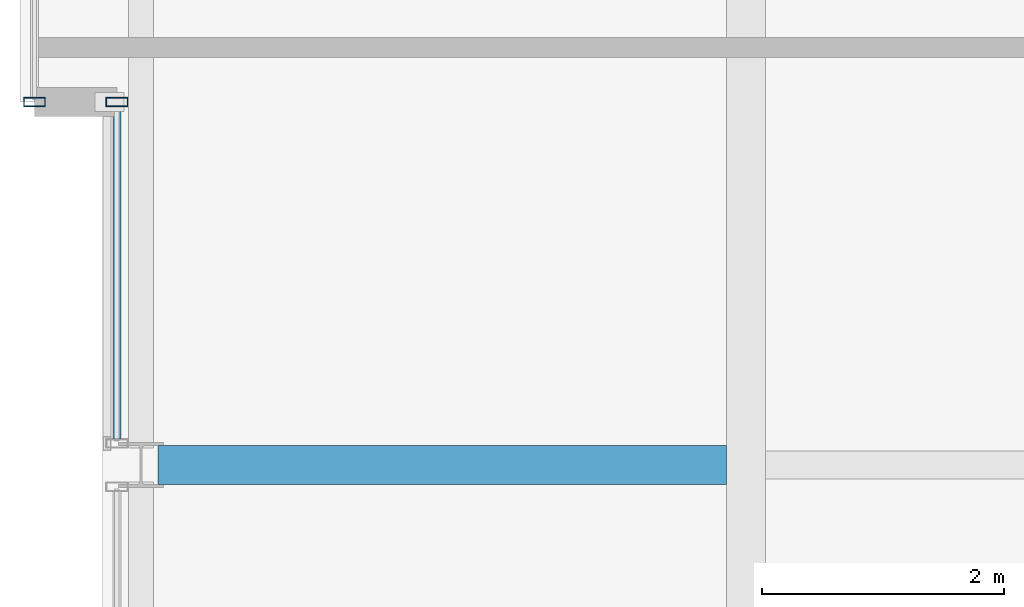
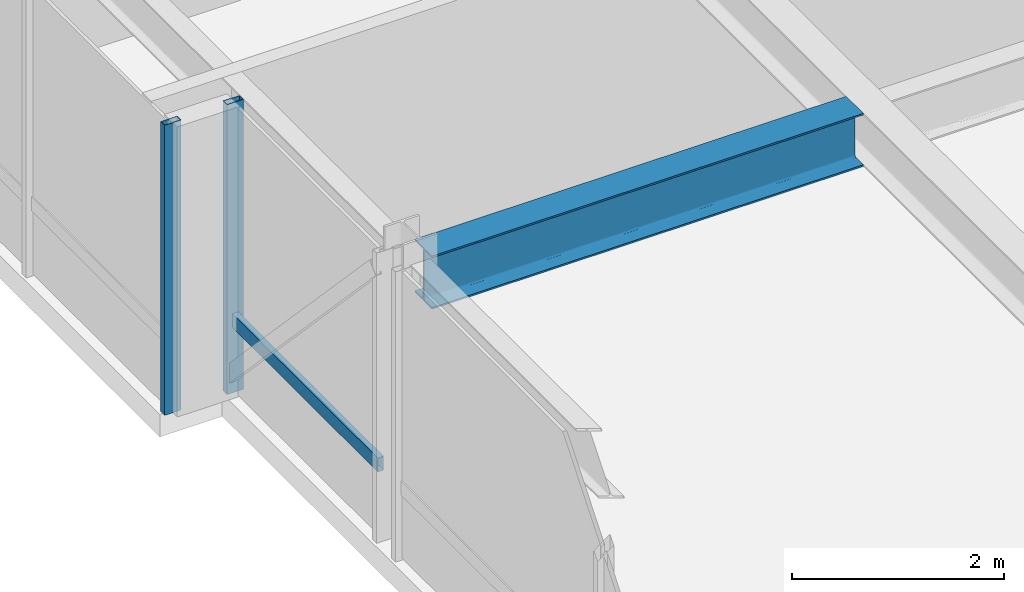
# One storey, part 11 of 32: 3 members, 1 beam, 2 elements without a shape of their own.
"""IFC4 building model written with IfcOpenShell, lengths in metres."""

import ifcopenshell
import ifcopenshell.guid

model = None  # the IFC model being written
_history = None  # IfcOwnerHistory: only IFC2X3 demands one
_inside = {}  # id of a spatial element -> (the spatial element, [elements in it])
_under = {}  # id of a project, library or spatial element -> (it, [spatial elements below it])
_declared = {}  # id of a project -> (the project, [libraries it declares])
_typed = {}  # id of a type object -> (the type object, [elements of that type])
_made_of = {}  # id of a material, layer set ... -> (it, [elements and type objects made of it])


def new_model(schema):
    """Start an empty IFC model of exactly this schema.

    Asked for "IFC4X3", IfcOpenShell would pick the latest addendum, in which some entities
    have other attributes; the version numbers below select the first issue.
    IFC2X3 requires an IfcOwnerHistory on every rooted entity: one is made here for all.
    """
    global model, _history
    if schema == "IFC4X3":
        model = ifcopenshell.file(schema_version=(4, 3, 0, 0))
    else:
        model = ifcopenshell.file(schema=schema)
    _inside.clear()
    _under.clear()
    _declared.clear()
    _typed.clear()
    _made_of.clear()
    _history = None
    if model.schema == "IFC2X3":
        org = make("IfcOrganization", Name="unknown")
        user = make(
            "IfcPersonAndOrganization",
            ThePerson=make("IfcPerson", FamilyName="unknown"),
            TheOrganization=org,
        )
        app = make(
            "IfcApplication",
            ApplicationDeveloper=org,
            Version="unknown",
            ApplicationFullName="unknown",
            ApplicationIdentifier="unknown",
        )
        _history = make(
            "IfcOwnerHistory",
            OwningUser=user,
            OwningApplication=app,
            ChangeAction="ADDED",
            CreationDate=0,
        )
    return model


def make(cls, **values):
    """One entity of the class cls with the attributes given. An attribute that is None is left unset."""
    return model.create_entity(
        cls, **{name: value for name, value in values.items() if value is not None}
    )


def rooted(cls, **values):
    """An entity with a GlobalId (a new one), such as an element, a storey or a relation."""
    return make(cls, GlobalId=ifcopenshell.guid.new(), OwnerHistory=_history, **values)


def si_unit(unit_type, name, prefix=None):
    """IfcSIUnit, for example si_unit("LENGTHUNIT", "METRE", prefix="MILLI")."""
    return make("IfcSIUnit", UnitType=unit_type, Prefix=prefix, Name=name)


def assignment(units):
    """IfcUnitAssignment: the units of a project."""
    return None if units is None else make("IfcUnitAssignment", Units=units)


def point(xyz):
    """IfcCartesianPoint."""
    return None if xyz is None else make("IfcCartesianPoint", Coordinates=xyz)


def direction(xyz):
    """IfcDirection."""
    return None if xyz is None else make("IfcDirection", DirectionRatios=xyz)


def frame(location, z_axis=None, x_axis=None):
    """IfcAxis2Placement3D, a coordinate frame: its origin and axes. An axis left out is left unset."""
    return make(
        "IfcAxis2Placement3D",
        Location=point(location),
        Axis=direction(z_axis),
        RefDirection=direction(x_axis),
    )


def frame_2d(location, x_axis=None):
    """IfcAxis2Placement2D, a coordinate frame in the plane: its origin and x axis."""
    return make(
        "IfcAxis2Placement2D", Location=point(location), RefDirection=direction(x_axis)
    )


def origin():
    """The frame at (0, 0, 0) with its axes left unset."""
    return frame((0.0, 0.0, 0.0))


def origin_2d():
    """The frame at (0, 0) in the plane with its x axis left unset."""
    return frame_2d((0.0, 0.0))


def place(relative_to, where):
    """IfcLocalPlacement: puts the frame where relative to a parent placement (None: the world)."""
    return make(
        "IfcLocalPlacement", PlacementRelTo=relative_to, RelativePlacement=where
    )


def context(
    kind, dimensions, precision=None, world=None, true_north=None, identifier=None
):
    """IfcGeometricRepresentationContext, for example the 3D "Model" context."""
    return make(
        "IfcGeometricRepresentationContext",
        ContextIdentifier=identifier,
        ContextType=kind,
        CoordinateSpaceDimension=dimensions,
        Precision=precision,
        WorldCoordinateSystem=world,
        TrueNorth=true_north,
    )


def subcontext(parent, identifier, kind, view, scale=None):
    """IfcGeometricRepresentationSubContext, for example "Body" below "Model"."""
    return make(
        "IfcGeometricRepresentationSubContext",
        ContextIdentifier=identifier,
        ContextType=kind,
        ParentContext=parent,
        TargetScale=scale,
        TargetView=view,
    )


def project(units=None, contexts=None):
    """IfcProject with its units and contexts."""
    return rooted(
        "IfcProject",
        Name="project",
        RepresentationContexts=contexts,
        UnitsInContext=assignment(units),
    )


def spatial(cls, under=None, at=None, **own):
    """A site, building, storey or space (cls), placed at a placement, below another one or the project."""
    s = rooted(cls, ObjectPlacement=at, **own)
    if under is not None:
        _under.setdefault(under.id(), (under, []))[1].append(s)
    return s


def profile(cls, at=None, kind="AREA", **sizes):
    """A parametric profile (cls). Its sizes go by their IFC names, for example OverallWidth=200.0."""
    return make(cls, ProfileType=kind, Position=at, **sizes)


def hollow_rectangle(**sizes):
    """IfcRectangleHollowProfileDef."""
    return profile("IfcRectangleHollowProfileDef", **sizes)


def i_section(**sizes):
    """IfcIShapeProfileDef."""
    return profile("IfcIShapeProfileDef", **sizes)


def extrude(swept, where, along, depth):
    """IfcExtrudedAreaSolid: the profile swept, set in the frame where, extruded along a direction by depth."""
    return make(
        "IfcExtrudedAreaSolid",
        SweptArea=swept,
        Position=where,
        ExtrudedDirection=direction(along),
        Depth=depth,
    )


def shape(context_of_items, identifier, shape_type, items):
    """IfcShapeRepresentation: the items that make up one representation, for example the "Body"."""
    return make(
        "IfcShapeRepresentation",
        ContextOfItems=context_of_items,
        RepresentationIdentifier=identifier,
        RepresentationType=shape_type,
        Items=items,
    )


def material(Name=None, Category=None):
    """IfcMaterial."""
    return make("IfcMaterial", Name=Name, Category=Category)


def layer(
    of_material, thickness, ventilated=None, Name=None, Category=None, Priority=None
):
    """IfcMaterialLayer: one layer of a wall or slab, of a material (None: an air gap)."""
    return make(
        "IfcMaterialLayer",
        Material=of_material,
        LayerThickness=thickness,
        IsVentilated=ventilated,
        Name=Name,
        Category=Category,
        Priority=Priority,
    )


def layer_set(layers, Name=None):
    """IfcMaterialLayerSet."""
    return make("IfcMaterialLayerSet", MaterialLayers=layers, LayerSetName=Name)


def material_profile(
    of_material, cross_section, Name=None, Category=None, Priority=None
):
    """IfcMaterialProfile: a cross section and its material."""
    return make(
        "IfcMaterialProfile",
        Name=Name,
        Material=of_material,
        Profile=cross_section,
        Priority=Priority,
        Category=Category,
    )


def profile_set(profiles, Name=None, composite=None):
    """IfcMaterialProfileSet."""
    return make(
        "IfcMaterialProfileSet",
        Name=Name,
        MaterialProfiles=profiles,
        CompositeProfile=composite,
    )


def made_of(thing, what):
    """Note that an element or type object is made of a material, layer set ...; save() writes the relation."""
    if what is not None:
        _made_of.setdefault(what.id(), (what, []))[1].append(thing)
    return thing


def type_object(cls, material=None, **own):
    """A type object (cls), such as IfcWallType, which elements share."""
    return made_of(rooted(cls, **own), material)


def element(
    cls,
    number,
    at=None,
    inside=None,
    cuts=None,
    type_object=None,
    material=None,
    context=None,
    identifier="Body",
    shape_type=None,
    held_by="IfcProductDefinitionShape",
    body=None,
    shapes=None,
    **own,
):
    """One element of the class cls, such as IfcWall. Its Tag is "e" and its number.

    at: its placement. inside: the storey or other place that contains it. cuts: it is an
    opening in that element (IfcRelVoidsElement). A single representation is given by context,
    identifier, shape_type and body (its items); several are given by shapes. held_by: the class
    of the entity that holds the representations. save() writes the other relations.
    """
    e = rooted(cls, Tag="e%d" % number, ObjectPlacement=at, **own)
    if body is not None:
        shapes = [shape(context, identifier, shape_type, body)]
    if shapes is not None:
        e.Representation = make(held_by, Representations=shapes)
    if inside is not None:
        _inside.setdefault(inside.id(), (inside, []))[1].append(e)
    if cuts is not None:
        rooted(
            "IfcRelVoidsElement", RelatingBuildingElement=cuts, RelatedOpeningElement=e
        )
    if type_object is not None:
        _typed.setdefault(type_object.id(), (type_object, []))[1].append(e)
    return made_of(e, material)


def aggregate(whole, parts):
    """IfcRelAggregates: a whole, such as a stair, and the parts it consists of."""
    return rooted("IfcRelAggregates", RelatingObject=whole, RelatedObjects=parts)


def save(model, path):
    """Write the relations noted so far, then the file.

    IfcRelAggregates (storeys below a building ...), IfcRelContainedInSpatialStructure (elements
    in a storey), IfcRelDefinesByType, IfcRelAssociatesMaterial and IfcRelDeclares: one each for
    every whole, place, type object, material and project.
    """
    for whole, parts in _under.values():
        aggregate(whole, parts)
    for where, things in _inside.values():
        rooted(
            "IfcRelContainedInSpatialStructure",
            RelatedElements=things,
            RelatingStructure=where,
        )
    for kind, things in _typed.values():
        rooted("IfcRelDefinesByType", RelatedObjects=things, RelatingType=kind)
    for what, things in _made_of.values():
        rooted("IfcRelAssociatesMaterial", RelatedObjects=things, RelatingMaterial=what)
    for by, libraries in _declared.values():
        rooted("IfcRelDeclares", RelatingContext=by, RelatedDefinitions=libraries)
    model.write(path)


model = new_model("IFC4")

# Units and contexts
model_context = context("Model", 3, precision=1e-05, world=origin(), true_north=direction((0.0, 1.0)))
body_context = subcontext(model_context, "Body", "Model", "MODEL_VIEW")
ifc_project = project(units=[si_unit("LENGTHUNIT", "METRE"), si_unit("AREAUNIT", "SQUARE_METRE"), si_unit("VOLUMEUNIT", "CUBIC_METRE"), si_unit("PLANEANGLEUNIT", "RADIAN"), si_unit("MASSUNIT", "GRAM", prefix="KILO")], contexts=[model_context])

# Site, building, storey
site_placement = place(None, origin())
site = spatial("IfcSite", under=ifc_project, at=site_placement, CompositionType="ELEMENT")
building_placement = place(site_placement, origin())
building = spatial("IfcBuilding", under=site, at=building_placement, Name="Drelvath Grand Hotel", CompositionType="ELEMENT")
storey_placement = place(building_placement, frame((0.0, 0.0, 241.10009765625)))
storey = spatial("IfcBuildingStorey", under=building, at=storey_placement, Name="L63", CompositionType="ELEMENT", Elevation=241.10009765625)

# Curtain wall, members
ifc_material_1 = material(Name="Platinum-Mist Anodised Aluminium Frame", Category="aluminium")
ifc_layer = layer(ifc_material_1, 0.199951171875)
ifc_layer_set = layer_set([ifc_layer], Name="Platinum-Mist Anodised Aluminium Frame")
curtain_wall_type = type_object("IfcCurtainWallType", Name="Stick Curtain Wall CW-05 Platinum Mist High-Rise", PredefinedType="NOTDEFINED", material=ifc_layer_set)
curtain_wall_1_placement = place(storey_placement, origin())
curtain_wall_1 = element("IfcCurtainWall", 1, at=curtain_wall_1_placement, inside=storey, type_object=curtain_wall_type, Name="L63 CW-05 Curtain Wall CW05-L63-WM2", PredefinedType="NOTDEFINED")
ifc_material_profile_1 = material_profile(ifc_material_1, hollow_rectangle(XDim=0.06494140625, YDim=0.159912109375, WallThickness=0.00390625, at=origin_2d()), Name="HSS160X65X4")
ifc_profile_set_1 = profile_set([ifc_material_profile_1], Name="Platinum-Mist Anodised Aluminium Frame")
member_type_1 = type_object("IfcMemberType", Name="Curtain Wall Horizontal Transom CW-05 HSS160X65X4", PredefinedType="USERDEFINED", material=ifc_profile_set_1)
member_1_placement = place(storey_placement, frame((-21.39990234375, 27.21826171875, 0.8349609375), z_axis=(0.0, 1.0, 0.0), x_axis=(-1.0, 0.0, 0.0)))
member_1 = element("IfcMember", 2, at=member_1_placement, type_object=member_type_1, Name="CW05-L63-WM2 Sill Transom", ObjectType="TRANSOM", PredefinedType="USERDEFINED", context=body_context, shape_type="SweptSolid", body=[
    extrude(hollow_rectangle(XDim=0.06494140625, YDim=0.159912109375, WallThickness=0.00390625, at=origin_2d()), origin(), (0.0, 0.0, 1.0), 2.74169921875),
])
ifc_material_profile_2 = material_profile(ifc_material_1, hollow_rectangle(XDim=0.074951171875, YDim=0.179931640625, WallThickness=0.0048828125, at=origin_2d()), Name="HSS180X75X5")
ifc_profile_set_2 = profile_set([ifc_material_profile_2], Name="Platinum-Mist Anodised Aluminium Frame")
member_type_2 = type_object("IfcMemberType", Name="Curtain Wall Vertical Mullion CW-05 HSS180X75X5", PredefinedType="MULLION", material=ifc_profile_set_2)
member_2_placement = place(storey_placement, frame((-21.39990234375, 30.0, 0.0), z_axis=(0.0, 0.0, 1.0), x_axis=(0.0, 1.0, 0.0)))
member_2 = element("IfcMember", 3, at=member_2_placement, type_object=member_type_2, Name="CW05-L63-WM2 Mullion 2", PredefinedType="MULLION", context=body_context, shape_type="SweptSolid", body=[
    extrude(hollow_rectangle(XDim=0.074951171875, YDim=0.179931640625, WallThickness=0.0048828125, at=origin_2d()), origin(), (0.0, 0.0, 1.0), 3.33984375),
])
aggregate(curtain_wall_1, [member_2, member_1])

# Curtain wall, member
curtain_wall_2_placement = place(storey_placement, origin())
curtain_wall_2 = element("IfcCurtainWall", 4, at=curtain_wall_2_placement, inside=storey, type_object=curtain_wall_type, Name="L63 CW-05 Curtain Wall CW05-L63-WN1", PredefinedType="NOTDEFINED")
member_3_placement = place(storey_placement, frame((-22.080078125, 30.0, 0.0), z_axis=(0.0, 0.0, 1.0), x_axis=(0.0, 1.0, 0.0)))
member_3 = element("IfcMember", 5, at=member_3_placement, type_object=member_type_2, Name="CW05-L63-WN1 Mullion 1", PredefinedType="MULLION", context=body_context, shape_type="SweptSolid", body=[
    extrude(hollow_rectangle(XDim=0.074951171875, YDim=0.179931640625, WallThickness=0.0048828125, at=origin_2d()), origin(), (0.0, 0.0, 1.0), 3.33984375),
])
aggregate(curtain_wall_2, [member_3])

# Beam
ifc_material_2 = material(Name="Steel ASTM A992 Gr 50", Category="steel")
ifc_material_profile_3 = material_profile(ifc_material_2, i_section(OverallWidth=0.323974609375, OverallDepth=0.611083984375, WebThickness=0.0126953125, FlangeThickness=0.01904296875, FilletRadius=0.02197265625, at=origin_2d()), Name="W24X104")
ifc_profile_set_3 = profile_set([ifc_material_profile_3], Name="Steel ASTM A992 Gr 50")
beam_type = type_object("IfcBeamType", Name="Primary Floor Girder W24X104", PredefinedType="BEAM", material=ifc_profile_set_3)
beam_placement = place(storey_placement, frame((-21.06005859375, 27.0, 3.034423828125), z_axis=(1.0, 0.0, 0.0), x_axis=(0.0, 1.0, 0.0)))
element("IfcBeam", 6, at=beam_placement, inside=storey, type_object=beam_type, Name="L63 West Wing Girder E", PredefinedType="BEAM", context=body_context, shape_type="SweptSolid", body=[
    extrude(i_section(OverallWidth=0.323974609375, OverallDepth=0.611083984375, WebThickness=0.0126953125, FlangeThickness=0.01904296875, FilletRadius=0.02197265625, at=origin_2d()), origin(), (0.0, 0.0, 1.0), 4.697998046875),
])

save(model, "model.ifc")
